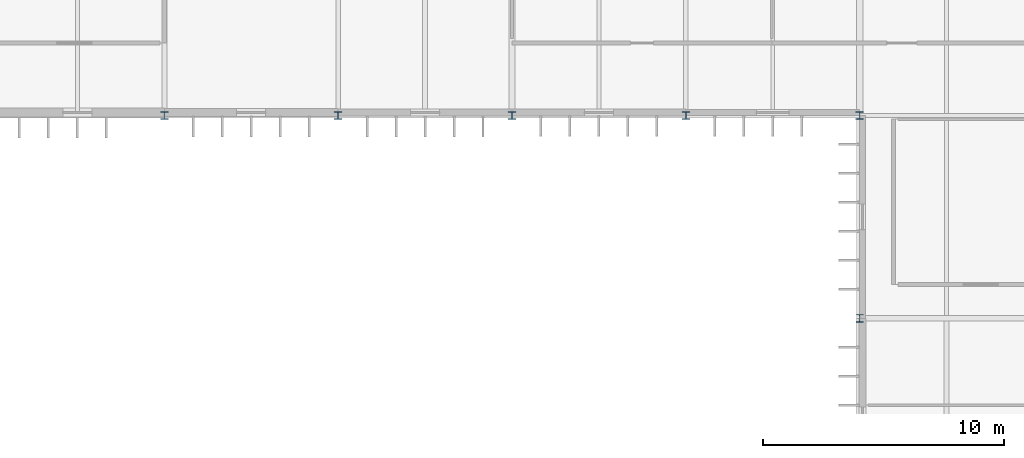
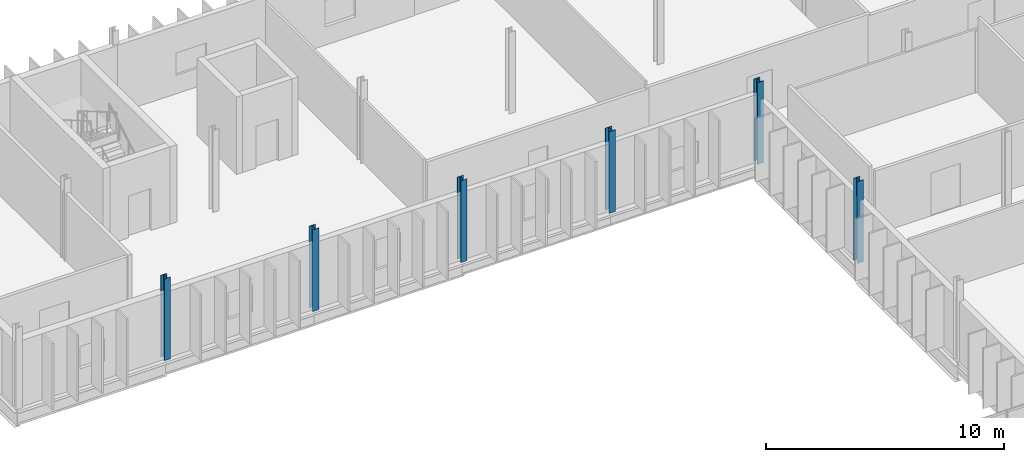
# One storey, part 11 of 99: 6 columns.
"""IFC4 building model written with IfcOpenShell, lengths in metres."""

from ifc_helpers import new_model, si_unit, direction, frame, origin, origin_2d, place, context, subcontext, project, spatial, i_section, extrude, material, material_profile, profile_set, type_object, element, save


model = new_model("IFC4")

# Units and contexts
model_context = context("Model", 3, precision=1e-05, world=origin(), true_north=direction((0.0, 1.0)))
body_context = subcontext(model_context, "Body", "Model", "MODEL_VIEW")
ifc_project = project(units=[si_unit("LENGTHUNIT", "METRE"), si_unit("AREAUNIT", "SQUARE_METRE"), si_unit("VOLUMEUNIT", "CUBIC_METRE"), si_unit("PLANEANGLEUNIT", "RADIAN"), si_unit("MASSUNIT", "GRAM", prefix="KILO")], contexts=[model_context])

# Site, building, storey
site_placement = place(None, origin())
site = spatial("IfcSite", under=ifc_project, at=site_placement, CompositionType="ELEMENT")
building_placement = place(site_placement, origin())
building = spatial("IfcBuilding", under=site, at=building_placement, Name="Qelthora Terrace Specialist Clinic", CompositionType="ELEMENT")
storey_placement = place(building_placement, frame((0.0, 0.0, 9.0)))
storey = spatial("IfcBuildingStorey", under=building, at=storey_placement, Name="L02", CompositionType="ELEMENT", Elevation=9.0)

# Columns
ifc_material = material(Name="Steel S355", Category="steel")
ifc_material_profile_1 = material_profile(ifc_material, i_section(OverallWidth=0.305908203125, OverallDepth=0.31103515625, WebThickness=0.010986328125, FlangeThickness=0.01708984375, FilletRadius=0.014892578125, at=origin_2d()), Name="W310X107")
ifc_profile_set_1 = profile_set([ifc_material_profile_1], Name="Steel S355")
column_type_1 = type_object("IfcColumnType", Name="COL-W310X107", PredefinedType="COLUMN", material=ifc_profile_set_1)
column_placement = place(storey_placement, frame((93.60009765625, 84.0, 0.0), z_axis=(0.0, 0.0, 1.0), x_axis=(1.0, 0.0, 0.0)))
element("IfcColumn", 1, at=column_placement, inside=storey, type_object=column_type_1, Name="Column L02-157", PredefinedType="COLUMN", context=body_context, shape_type="SweptSolid", body=[
    extrude(i_section(OverallWidth=0.305908203125, OverallDepth=0.31103515625, WebThickness=0.010986328125, FlangeThickness=0.01708984375, FilletRadius=0.014892578125, at=origin_2d()), origin(), (0.0, 0.0, 1.0), 4.199951171875),
])
ifc_material_profile_2 = material_profile(ifc_material, i_section(OverallWidth=0.30810546875, OverallDepth=0.318115234375, WebThickness=0.01318359375, FlangeThickness=0.0205078125, FilletRadius=0.01611328125, at=origin_2d()), Name="W310X129")
ifc_profile_set_2 = profile_set([ifc_material_profile_2], Name="Steel S355")
column_type_2 = type_object("IfcColumnType", Name="COL-W310X129", PredefinedType="COLUMN", material=ifc_profile_set_2)
for number, where, z_axis, x_axis, name in (
    (2, (64.800048828125, 92.39990234375, 0.0), (0.0, 0.0, 1.0), (1.0, 0.0, 0.0), "Column L02-119"),
    (3, (72.0, 92.39990234375, 0.0), (0.0, 0.0, 1.0), (1.0, 0.0, 0.0), "Column L02-127"),
    (4, (79.199951171875, 92.39990234375, 0.0), (0.0, 0.0, 1.0), (1.0, 0.0, 0.0), "Column L02-135"),
):
    element("IfcColumn", number, at=place(storey_placement, frame(where, z_axis=z_axis, x_axis=x_axis)), inside=storey, type_object=column_type_2, Name=name, PredefinedType="COLUMN", context=body_context, shape_type="SweptSolid", body=[
        extrude(i_section(OverallWidth=0.30810546875, OverallDepth=0.318115234375, WebThickness=0.01318359375, FlangeThickness=0.0205078125, FilletRadius=0.01611328125, at=origin_2d()), origin(), (0.0, 0.0, 1.0), 4.199951171875),
    ])
ifc_material_profile_3 = material_profile(ifc_material, i_section(OverallWidth=0.30908203125, OverallDepth=0.322998046875, WebThickness=0.013916015625, FlangeThickness=0.02294921875, FilletRadius=0.01611328125, at=origin_2d()), Name="W310X143")
ifc_profile_set_3 = profile_set([ifc_material_profile_3], Name="Steel S355")
column_type_3 = type_object("IfcColumnType", Name="COL-W310X143", PredefinedType="COLUMN", material=ifc_profile_set_3)
for number, where, z_axis, x_axis, name in (
    (5, (86.39990234375, 92.39990234375, 0.0), (0.0, 0.0, 1.0), (1.0, 0.0, 0.0), "Column L02-144"),
    (6, (93.60009765625, 92.39990234375, 0.0), (0.0, 0.0, 1.0), (1.0, 0.0, 0.0), "Column L02-158"),
):
    element("IfcColumn", number, at=place(storey_placement, frame(where, z_axis=z_axis, x_axis=x_axis)), inside=storey, type_object=column_type_3, Name=name, PredefinedType="COLUMN", context=body_context, shape_type="SweptSolid", body=[
        extrude(i_section(OverallWidth=0.30908203125, OverallDepth=0.322998046875, WebThickness=0.013916015625, FlangeThickness=0.02294921875, FilletRadius=0.01611328125, at=origin_2d()), origin(), (0.0, 0.0, 1.0), 4.199951171875),
    ])

save(model, "model.ifc")
